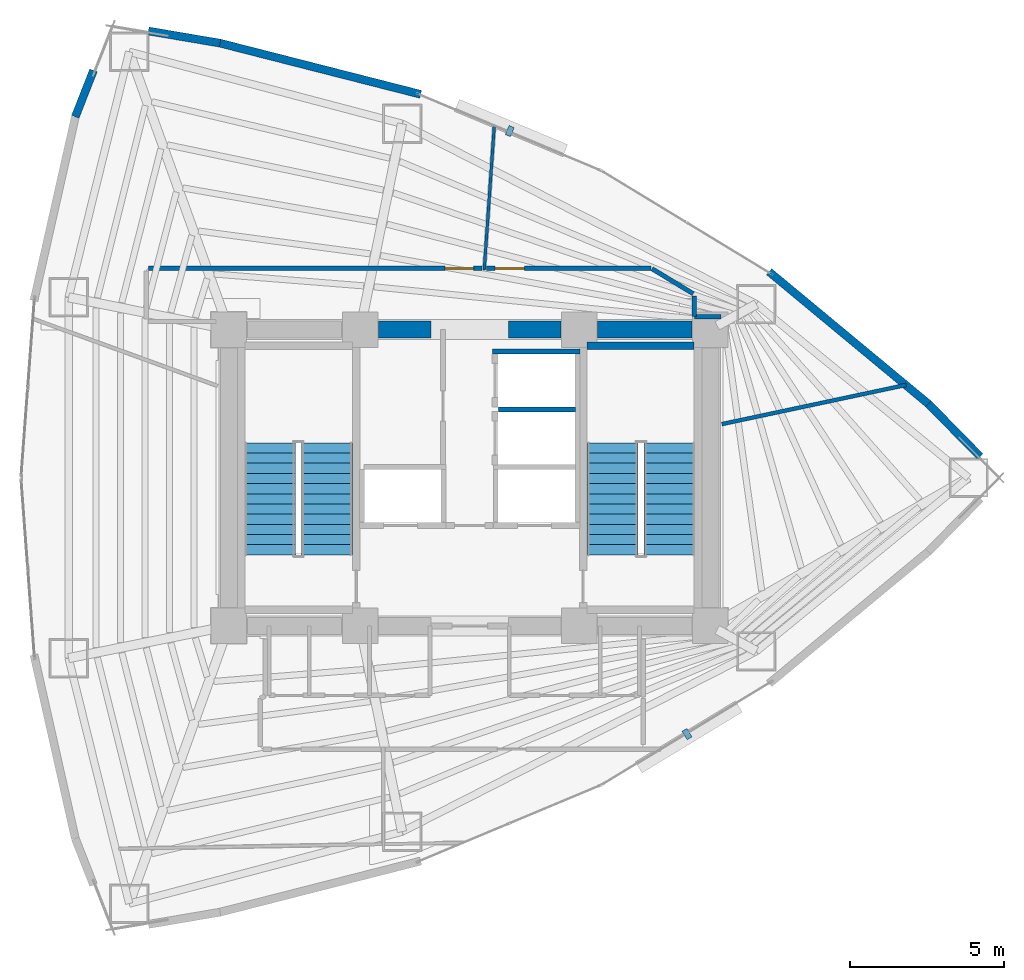
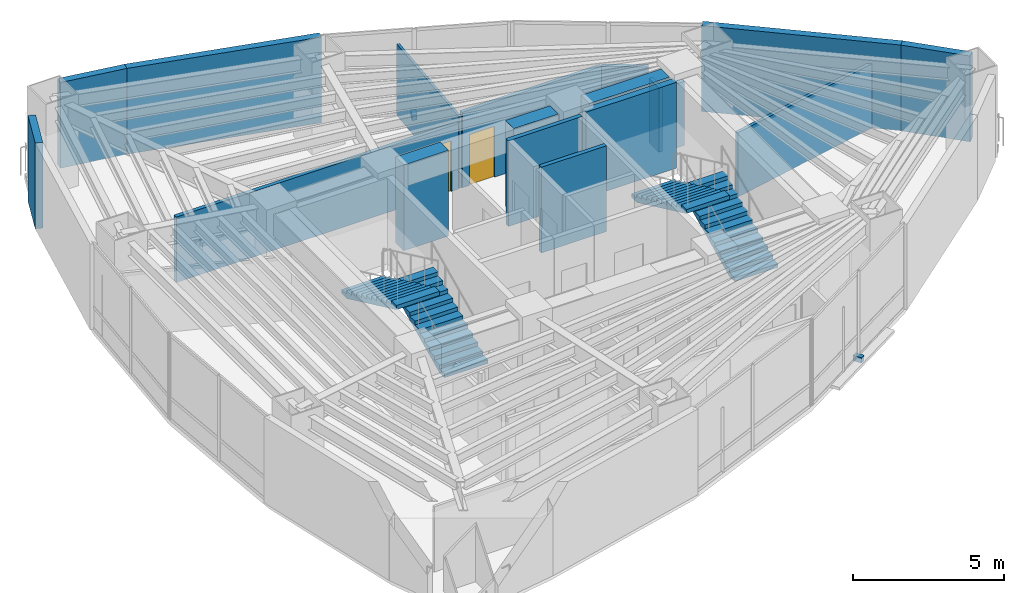
# One storey, part 16 of 19: 18 walls, 4 stair flights, 2 discrete accessories, 2 doors, 2 openings, 2 elements without a shape of their own.
"""IFC4 building model written with IfcOpenShell, lengths in metres."""

from ifc_helpers import new_model, si_unit, direction, frame, frame_2d, origin, origin_2d, place, context, subcontext, project, spatial, polyline, rectangle, outline, extrude, material, layer, layer_set, type_object, element, fill, aggregate, save


model = new_model("IFC4")

# Units and contexts
model_context = context("Model", 3, precision=1e-05, world=origin(), true_north=direction((0.0, 1.0)))
body_context = subcontext(model_context, "Body", "Model", "MODEL_VIEW")
ifc_project = project(units=[si_unit("LENGTHUNIT", "METRE"), si_unit("AREAUNIT", "SQUARE_METRE"), si_unit("VOLUMEUNIT", "CUBIC_METRE"), si_unit("PLANEANGLEUNIT", "RADIAN"), si_unit("MASSUNIT", "GRAM", prefix="KILO")], contexts=[model_context])

# Site, building, storey
site_placement = place(None, origin())
site = spatial("IfcSite", under=ifc_project, at=site_placement, CompositionType="ELEMENT")
building_placement = place(site_placement, origin())
building = spatial("IfcBuilding", under=site, at=building_placement, Name="Menara Vayukalpa", CompositionType="ELEMENT")
storey_placement = place(building_placement, frame((0.0, 0.0, 122.580078125)))
storey = spatial("IfcBuildingStorey", under=building, at=storey_placement, Name="L30", CompositionType="ELEMENT", Elevation=122.580078125)

# Walls
ifc_material_1 = material(Name="Concrete C60/75", Category="concrete")
ifc_layer_1 = layer(ifc_material_1, 0.550048828125)
ifc_layer_set_1 = layer_set([ifc_layer_1], Name="Concrete C60/75")
wall_type_1 = type_object("IfcWallType", Name="WAL-CW550", PredefinedType="SHEAR", material=ifc_layer_set_1)
wall_1_placement = place(storey_placement, frame((22.64501953125, 26.800048828125, 0.0), z_axis=(0.0, 0.0, 1.0), x_axis=(1.0, 0.0, 0.0)))
element("IfcWall", 1, at=wall_1_placement, inside=storey, type_object=wall_type_1, Name="L30 Buttressed Core Shear Wall CWN2", PredefinedType="SHEAR", context=body_context, shape_type="SweptSolid", body=[
    extrude(rectangle(XDim=1.705078125, YDim=0.550048828125, at=frame_2d((0.8525390625, 0.0))), origin(), (0.0, 0.0, 1.0), 3.469970703125),
])
wall_2_placement = place(storey_placement, frame((26.85009765625, 26.800048828125, 0.0), z_axis=(0.0, 0.0, 1.0), x_axis=(1.0, 0.0, 0.0)))
element("IfcWall", 2, at=wall_2_placement, inside=storey, type_object=wall_type_1, Name="L30 Buttressed Core Shear Wall CWN3", PredefinedType="SHEAR", context=body_context, shape_type="SweptSolid", body=[
    extrude(rectangle(XDim=1.704833984375, YDim=0.550048828125, at=frame_2d((0.8525390625, 0.0))), origin(), (0.0, 0.0, 1.0), 3.469970703125),
])
wall_3_placement = place(storey_placement, frame((29.7451171875, 26.800048828125, 0.0), z_axis=(0.0, 0.0, 1.0), x_axis=(1.0, 0.0, 0.0)))
element("IfcWall", 3, at=wall_3_placement, inside=storey, type_object=wall_type_1, Name="L30 Buttressed Core Shear Wall CWN4", PredefinedType="SHEAR", context=body_context, shape_type="SweptSolid", body=[
    extrude(rectangle(XDim=3.059814453125, YDim=0.550048828125, at=frame_2d((1.52978515625, 0.0))), origin(), (0.0, 0.0, 1.0), 3.469970703125),
])
ifc_material_2 = material(Name="Insulated Precast Concrete C40/50", Category="concrete")
ifc_layer_2 = layer(ifc_material_2, 0.260009765625)
ifc_layer_set_2 = layer_set([ifc_layer_2], Name="Insulated Precast Concrete C40/50")
wall_type_2 = type_object("IfcWallType", Name="WAL-EXT260", PredefinedType="PARTITIONING", material=ifc_layer_set_2)
wall_4_placement = place(storey_placement, frame((40.46337890625, 24.39208984375, 0.0), z_axis=(0.0, 0.0, 1.0), x_axis=(0.700603293449, -0.713550996922, 0.0)))
element("IfcWall", 4, at=wall_4_placement, inside=storey, type_object=wall_type_2, Name="L30 Perimeter Terracotta Pier Wall 02", PredefinedType="PARTITIONING", context=body_context, shape_type="SweptSolid", body=[
    extrude(rectangle(XDim=2.394775390625, YDim=0.260009765625, at=frame_2d((1.197265625, 0.0))), origin(), (0.0, 0.0, 1.0), 3.469970703125),
])
wall_5_placement = place(storey_placement, frame((35.30126953125, 28.672119140625, 0.0), z_axis=(0.0, 0.0, 1.0), x_axis=(0.76975316947, -0.638341646841, 0.0)))
element("IfcWall", 5, at=wall_5_placement, inside=storey, type_object=wall_type_2, Name="L30 Perimeter Terracotta Pier Wall 03", PredefinedType="PARTITIONING", context=body_context, shape_type="SweptSolid", body=[
    extrude(rectangle(XDim=6.718017578125, YDim=0.260009765625, at=frame_2d((3.35888671875, 0.0))), origin(), (0.0, 0.0, 1.0), 3.469970703125),
])
wall_6_placement = place(storey_placement, frame((17.504638671875, 36.08056640625, 0.0), z_axis=(0.0, 0.0, 1.0), x_axis=(0.968981437296, -0.247133514876, 0.0)))
element("IfcWall", 6, at=wall_6_placement, inside=storey, type_object=wall_type_2, Name="L30 Perimeter Terracotta Pier Wall 06", PredefinedType="PARTITIONING", context=body_context, shape_type="SweptSolid", body=[
    extrude(rectangle(XDim=6.717529296875, YDim=0.260009765625, at=frame_2d((3.35888671875, 0.0))), origin(), (0.0, 0.0, 1.0), 3.469970703125),
])
wall_7_placement = place(storey_placement, frame((15.19287109375, 36.472412109375, 0.0), z_axis=(0.0, 0.0, 1.0), x_axis=(0.985905269947, -0.167304508875, 0.0)))
element("IfcWall", 7, at=wall_7_placement, inside=storey, type_object=wall_type_2, Name="L30 Perimeter Terracotta Pier Wall 07", PredefinedType="PARTITIONING", context=body_context, shape_type="SweptSolid", body=[
    extrude(rectangle(XDim=2.356689453125, YDim=0.260009765625, at=frame_2d((1.17822265625, 0.0))), origin(), (0.0, 0.0, 1.0), 3.469970703125),
])
wall_8_placement = place(storey_placement, frame((12.822021484375, 33.69140625, 0.0), z_axis=(0.0, 0.0, 1.0), x_axis=(0.365488551504, 0.930815835018, 0.0)))
element("IfcWall", 8, at=wall_8_placement, inside=storey, type_object=wall_type_2, Name="L30 Perimeter Terracotta Pier Wall 08", PredefinedType="PARTITIONING", context=body_context, shape_type="SweptSolid", body=[
    extrude(rectangle(XDim=1.61376953125, YDim=0.260009765625, at=frame_2d((0.806884765625, 0.0))), origin(), (0.0, 0.0, 1.0), 3.469970703125),
])
ifc_material_3 = material(Name="Lightweight Concrete Blockwork C16/20", Category="masonry")
ifc_layer_3 = layer(ifc_material_3, 0.159912109375)
ifc_layer_set_3 = layer_set([ifc_layer_3], Name="Lightweight Concrete Blockwork C16/20")
wall_type_3 = type_object("IfcWallType", Name="WAL-FR150", PredefinedType="PARTITIONING", material=ifc_layer_set_3)
wall_9_placement = place(storey_placement, frame((26.530029296875, 24.215087890625, 0.0), z_axis=(0.0, 0.0, 1.0), x_axis=(1.0, 0.0, 0.0)))
element("IfcWall", 9, at=wall_9_placement, inside=storey, type_object=wall_type_3, Name="L30 Interior Partition IW-L30-SHM-E32", PredefinedType="PARTITIONING", context=body_context, shape_type="SweptSolid", body=[
    extrude(rectangle(XDim=2.489990234375, YDim=0.159912109375, at=frame_2d((1.2451171875, 0.0))), origin(), (0.0, 0.0, 1.0), 3.469970703125),
])
wall_10_placement = place(storey_placement, frame((26.340087890625, 26.0849609375, 0.0), z_axis=(0.0, 0.0, 1.0), x_axis=(1.0, 0.0, 0.0)))
element("IfcWall", 10, at=wall_10_placement, inside=storey, type_object=wall_type_3, Name="L30 Interior Partition IW-L30-SHM-E2N", PredefinedType="PARTITIONING", context=body_context, shape_type="SweptSolid", body=[
    extrude(rectangle(XDim=2.829833984375, YDim=0.159912109375, at=frame_2d((1.4150390625, 0.0))), origin(), (0.0, 0.0, 1.0), 3.469970703125),
])
ifc_material_4 = material(Name="Glazed Demountable Office Partition", Category="glass")
ifc_layer_4 = layer(ifc_material_4, 0.094970703125)
ifc_layer_set_4 = layer_set([ifc_layer_4], Name="Glazed Demountable Office Partition")
wall_type_4 = type_object("IfcWallType", Name="WAL-PT100", PredefinedType="PARTITIONING", material=ifc_layer_set_4)
wall_11_placement = place(storey_placement, frame((26.070556640625, 28.72998046875, 0.0), z_axis=(0.0, 0.0, 1.0), x_axis=(0.069740179431, 0.997565189535, 0.0)))
element("IfcWall", 11, at=wall_11_placement, inside=storey, type_object=wall_type_4, Name="L30 Interior Partition IW-L30-RDIV02", PredefinedType="PARTITIONING", context=body_context, shape_type="SweptSolid", body=[
    extrude(rectangle(XDim=4.697998046875, YDim=0.094970703125, at=frame_2d((2.34912109375, 0.0))), origin(), (0.0, 0.0, 1.0), 2.89990234375),
])
ifc_material_5 = material(Name="Gypsum Drywall Steel Stud Assembly", Category="steel")
ifc_layer_5 = layer(ifc_material_5, 0.125)
ifc_layer_set_5 = layer_set([ifc_layer_5], Name="Gypsum Drywall Steel Stud Assembly")
wall_type_5 = type_object("IfcWallType", Name="WAL-PT125", PredefinedType="PARTITIONING", material=ifc_layer_set_5)
wall_12_placement = place(storey_placement, frame((33.77001953125, 23.736572265625, 0.0), z_axis=(0.0, 0.0, 1.0), x_axis=(0.978144206175, 0.20792766032, 0.0)))
element("IfcWall", 12, at=wall_12_placement, inside=storey, type_object=wall_type_5, Name="L30 Interior Partition IW-L30-RDIV01", PredefinedType="PARTITIONING", context=body_context, shape_type="SweptSolid", body=[
    extrude(rectangle(XDim=6.10205078125, YDim=0.125, at=frame_2d((3.051025390625, 0.0))), origin(), (0.0, 0.0, 1.0), 2.599853515625),
])
ifc_material_6 = material(Name="Gypsum Drywall Acoustic Stud Assembly", Category="masonry")
ifc_layer_6 = layer(ifc_material_6, 0.14501953125)
ifc_layer_set_6 = layer_set([ifc_layer_6], Name="Gypsum Drywall Acoustic Stud Assembly")
wall_type_6 = type_object("IfcWallType", Name="WAL-PT150", PredefinedType="PARTITIONING", material=ifc_layer_set_6)
wall_13_placement = place(storey_placement, frame((33.739990234375, 27.219970703125, 0.0), z_axis=(0.0, 0.0, 1.0), x_axis=(-1.0, 0.0, 0.0)))
element("IfcWall", 13, at=wall_13_placement, inside=storey, type_object=wall_type_6, Name="L30 Interior Partition IW-L30-CRM03-1", PredefinedType="PARTITIONING", context=body_context, shape_type="SweptSolid", body=[
    extrude(rectangle(XDim=0.860107421875, YDim=0.14501953125, at=frame_2d((0.43017578125, 0.0))), origin(), (0.0, 0.0, 1.0), 2.599853515625),
])
wall_14_placement = place(storey_placement, frame((32.8798828125, 27.219970703125, 0.0), z_axis=(0.0, 0.0, 1.0), x_axis=(0.0, 1.0, 0.0)))
element("IfcWall", 14, at=wall_14_placement, inside=storey, type_object=wall_type_6, Name="L30 Interior Partition IW-L30-CRM03-2", PredefinedType="PARTITIONING", context=body_context, shape_type="SweptSolid", body=[
    extrude(rectangle(XDim=0.671142578125, YDim=0.14501953125, at=frame_2d((0.33544921875, 0.0))), origin(), (0.0, 0.0, 1.0), 2.599853515625),
])
wall_15_placement = place(storey_placement, frame((32.841552734375, 27.959716796875, 0.0), z_axis=(0.0, 0.0, 1.0), x_axis=(-0.854742818792, 0.519051744745, 0.0)))
element("IfcWall", 15, at=wall_15_placement, inside=storey, type_object=wall_type_6, Name="L30 Interior Partition IW-L30-CRM03-3", PredefinedType="PARTITIONING", context=body_context, shape_type="SweptSolid", body=[
    extrude(rectangle(XDim=1.557861328125, YDim=0.14501953125, at=frame_2d((0.77880859375, 0.0))), origin(), (0.0, 0.0, 1.0), 3.0498046875),
])

# Wall, opening, door
wall_16_placement = place(storey_placement, frame((31.468505859375, 28.780029296875, 0.0), z_axis=(0.0, 0.0, 1.0), x_axis=(-1.0, 0.0, 0.0)))
wall_16 = element("IfcWall", 16, at=wall_16_placement, inside=storey, type_object=wall_type_6, Name="L30 Interior Partition IW-L30-CRM03-4", PredefinedType="PARTITIONING", context=body_context, shape_type="SweptSolid", body=[
    extrude(rectangle(XDim=5.32421875, YDim=0.14501953125, at=frame_2d((2.662109375, 0.0))), origin(), (0.0, 0.0, 1.0), 3.0498046875),
])
opening_1_placement = place(wall_16_placement, frame((4.09423828125, 0.0, 0.0)))
opening_1 = element("IfcOpeningElement", 17, at=opening_1_placement, cuts=wall_16, Name="Opening ID5", PredefinedType="OPENING", context=body_context, shape_type="SweptSolid", body=[
    extrude(rectangle(XDim=0.949951171875, YDim=2.06005859375, at=frame_2d((0.47509765625, 1.030029296875))), frame((0.0, 0.08251953125, 0.0), z_axis=(0.0, -1.0, 0.0), x_axis=(1.0, 0.0, 0.0)), (0.0, 0.0, 1.0), 0.1650390625),
])
ifc_material_7 = material(Name="Acoustic Hardwood Veneer Timber Door", Category="wood")
door_type_1 = type_object("IfcDoorType", Name="DR-INT95", OperationType="NOTDEFINED", PredefinedType="DOOR", material=ifc_material_7)
door_1_placement = place(opening_1_placement, origin())
door_1 = element("IfcDoor", 18, at=door_1_placement, inside=storey, type_object=door_type_1, Name="L30 Interior Door DR-L30-RM03", OperationType="SINGLE_SWING_LEFT", OverallHeight=2.06005859375, OverallWidth=0.949951171875, PredefinedType="DOOR", context=body_context, shape_type="SweptSolid", body=[
    extrude(rectangle(XDim=0.949951171875, YDim=2.06005859375, at=frame_2d((0.47509765625, 1.030029296875))), frame((0.0, 0.02490234375, 0.0), z_axis=(0.0, -1.0, 0.0), x_axis=(1.0, 0.0, 0.0)), (0.0, 0.0, 1.0), 0.050048828125),
])
fill(opening_1, door_1)

wall_17_placement = place(storey_placement, frame((26.00390625, 28.780029296875, 0.0), z_axis=(0.0, 0.0, 1.0), x_axis=(-1.0, 0.0, 0.0)))
wall_17 = element("IfcWall", 19, at=wall_17_placement, inside=storey, type_object=wall_type_6, Name="L30 Interior Partition IW-L30-CRM04-1", PredefinedType="PARTITIONING", context=body_context, shape_type="SweptSolid", body=[
    extrude(rectangle(XDim=10.803955078125, YDim=0.14501953125, at=frame_2d((5.40185546875, 0.0))), origin(), (0.0, 0.0, 1.0), 2.64990234375),
])
opening_2_placement = place(wall_17_placement, frame((0.280029296875, 0.0, 0.0)))
opening_2 = element("IfcOpeningElement", 20, at=opening_2_placement, cuts=wall_17, Name="Opening ID6", PredefinedType="OPENING", context=body_context, shape_type="SweptSolid", body=[
    extrude(rectangle(XDim=0.919921875, YDim=2.050048828125, at=frame_2d((0.4599609375, 1.02490234375))), frame((0.0, 0.08251953125, 0.0), z_axis=(0.0, -1.0, 0.0), x_axis=(1.0, 0.0, 0.0)), (0.0, 0.0, 1.0), 0.1650390625),
])
ifc_material_8 = material(Name="Acoustic Hardwood Veneer Timber Door", Category="wood")
door_type_2 = type_object("IfcDoorType", Name="DR-INT92", OperationType="NOTDEFINED", PredefinedType="DOOR", material=ifc_material_8)
door_2_placement = place(opening_2_placement, origin())
door_2 = element("IfcDoor", 21, at=door_2_placement, inside=storey, type_object=door_type_2, Name="L30 Interior Door DR-L30-RM04", OperationType="SINGLE_SWING_RIGHT", OverallHeight=2.050048828125, OverallWidth=0.919921875, PredefinedType="DOOR", context=body_context, shape_type="SweptSolid", body=[
    extrude(rectangle(XDim=0.919921875, YDim=2.050048828125, at=frame_2d((0.4599609375, 1.02490234375))), frame((0.0, 0.02490234375, 0.0), z_axis=(0.0, -1.0, 0.0), x_axis=(1.0, 0.0, 0.0)), (0.0, 0.0, 1.0), 0.050048828125),
])
fill(opening_2, door_2)

# Wall
ifc_material_9 = material(Name="Concrete C50/60", Category="concrete")
ifc_layer_7 = layer(ifc_material_9, 0.25)
ifc_layer_set_7 = layer_set([ifc_layer_7], Name="Concrete C50/60")
wall_type_7 = type_object("IfcWallType", Name="WAL-SW250", PredefinedType="SHEAR", material=ifc_layer_set_7)
wall_18_placement = place(storey_placement, frame((29.39990234375, 26.27490234375, 0.0), z_axis=(0.0, 0.0, 1.0), x_axis=(1.0, 0.0, 0.0)))
element("IfcWall", 22, at=wall_18_placement, inside=storey, type_object=wall_type_7, Name="L30 ST2 Structural Stair Shaft Wall N", PredefinedType="SHEAR", context=body_context, shape_type="SweptSolid", body=[
    extrude(rectangle(XDim=3.47119140625, YDim=0.25, at=frame_2d((1.735595703125, 0.0))), origin(), (0.0, 0.0, 1.0), 3.469970703125),
])

# Stair, stair flights
ifc_material_10 = material(Name="Precast Concrete C40/50", Category="concrete")
stair_type = type_object("IfcStairType", Name="STR-T04", PredefinedType="DOUBLE_RETURN_STAIR", material=ifc_material_10)
stair_1_placement = place(storey_placement, origin())
stair_1 = element("IfcStair", 23, at=stair_1_placement, inside=storey, type_object=stair_type, Name="L30 Core Exit Stair ST-1", PredefinedType="DOUBLE_RETURN_STAIR")
ifc_material_11 = material(Name="Precast Concrete C40/50", Category="concrete")
stair_flight_type = type_object("IfcStairFlightType", Name="STF-T04", PredefinedType="STRAIGHT", material=ifc_material_11)
stair_flight_1_placement = place(storey_placement, frame((20.97509765625, 19.5, 0.0), z_axis=(0.0, 0.0, 1.0), x_axis=(0.0, 1.0, 0.0)))
stair_flight_1 = element("IfcStairFlight", 24, at=stair_flight_1_placement, type_object=stair_flight_type, Name="ST-1 flight 1", NumberOfRisers=12, NumberOfTreads=11, PredefinedType="STRAIGHT", RiserHeight=0.155, TreadLength=0.33, context=body_context, shape_type="SweptSolid", body=[
    extrude(outline(polyline([(0.0, 0.0), (0.0, 0.155029296875), (0.330078125, 0.155029296875), (0.330078125, 0.31005859375), (0.659912109375, 0.31005859375), (0.659912109375, 0.465087890625), (0.989990234375, 0.465087890625), (0.989990234375, 0.6201171875), (1.320068359375, 0.6201171875), (1.320068359375, 0.77490234375), (1.64990234375, 0.77490234375), (1.64990234375, 0.929931640625), (1.97998046875, 0.929931640625), (1.97998046875, 1.0849609375), (2.31005859375, 1.0849609375), (2.31005859375, 1.239990234375), (2.639892578125, 1.239990234375), (2.639892578125, 1.39501953125), (2.969970703125, 1.39501953125), (2.969970703125, 1.550048828125), (3.300048828125, 1.550048828125), (3.300048828125, 1.705078125), (3.6298828125, 1.705078125), (3.6298828125, 1.860107421875), (3.6298828125, 1.539306640625), (0.3525390625, 0.0), (0.0, 0.0)])), frame((0.0, 0.824951171875, 0.0), z_axis=(0.0, -1.0, 0.0), x_axis=(1.0, 0.0, 0.0)), (0.0, 0.0, 1.0), 1.64990234375),
])
stair_flight_2_placement = place(storey_placement, frame((19.125, 23.1298828125, 1.85986328125), z_axis=(0.0, 0.0, 1.0), x_axis=(0.0, -1.0, 0.0)))
stair_flight_2 = element("IfcStairFlight", 25, at=stair_flight_2_placement, type_object=stair_flight_type, Name="ST-1 flight 2", NumberOfRisers=12, NumberOfTreads=11, PredefinedType="STRAIGHT", RiserHeight=0.155, TreadLength=0.33, context=body_context, shape_type="SweptSolid", body=[
    extrude(outline(polyline([(0.0, 0.0), (0.0, 0.155029296875), (0.330078125, 0.155029296875), (0.330078125, 0.31005859375), (0.659912109375, 0.31005859375), (0.659912109375, 0.465087890625), (0.989990234375, 0.465087890625), (0.989990234375, 0.6201171875), (1.320068359375, 0.6201171875), (1.320068359375, 0.77490234375), (1.64990234375, 0.77490234375), (1.64990234375, 0.929931640625), (1.97998046875, 0.929931640625), (1.97998046875, 1.0849609375), (2.31005859375, 1.0849609375), (2.31005859375, 1.239990234375), (2.639892578125, 1.239990234375), (2.639892578125, 1.39501953125), (2.969970703125, 1.39501953125), (2.969970703125, 1.550048828125), (3.300048828125, 1.550048828125), (3.300048828125, 1.705078125), (3.6298828125, 1.705078125), (3.6298828125, 1.860107421875), (3.6298828125, 1.539306640625), (0.3525390625, 0.0), (0.0, 0.0)])), frame((0.0, 0.824951171875, 0.0), z_axis=(0.0, -1.0, 0.0), x_axis=(1.0, 0.0, 0.0)), (0.0, 0.0, 1.0), 1.64990234375),
])
aggregate(stair_1, [stair_flight_1, stair_flight_2])

stair_2_placement = place(storey_placement, origin())
stair_2 = element("IfcStair", 26, at=stair_2_placement, inside=storey, type_object=stair_type, Name="L30 Core Exit Stair ST-2", PredefinedType="DOUBLE_RETURN_STAIR")
stair_flight_3_placement = place(storey_placement, frame((32.074951171875, 19.5, 0.0), z_axis=(0.0, 0.0, 1.0), x_axis=(0.0, 1.0, 0.0)))
stair_flight_3 = element("IfcStairFlight", 27, at=stair_flight_3_placement, type_object=stair_flight_type, Name="ST-2 flight 1", NumberOfRisers=12, NumberOfTreads=11, PredefinedType="STRAIGHT", RiserHeight=0.155, TreadLength=0.33, context=body_context, shape_type="SweptSolid", body=[
    extrude(outline(polyline([(0.0, 0.0), (0.0, 0.155029296875), (0.330078125, 0.155029296875), (0.330078125, 0.31005859375), (0.659912109375, 0.31005859375), (0.659912109375, 0.465087890625), (0.989990234375, 0.465087890625), (0.989990234375, 0.6201171875), (1.320068359375, 0.6201171875), (1.320068359375, 0.77490234375), (1.64990234375, 0.77490234375), (1.64990234375, 0.929931640625), (1.97998046875, 0.929931640625), (1.97998046875, 1.0849609375), (2.31005859375, 1.0849609375), (2.31005859375, 1.239990234375), (2.639892578125, 1.239990234375), (2.639892578125, 1.39501953125), (2.969970703125, 1.39501953125), (2.969970703125, 1.550048828125), (3.300048828125, 1.550048828125), (3.300048828125, 1.705078125), (3.6298828125, 1.705078125), (3.6298828125, 1.860107421875), (3.6298828125, 1.539306640625), (0.3525390625, 0.0), (0.0, 0.0)])), frame((0.0, 0.824951171875, 0.0), z_axis=(0.0, -1.0, 0.0), x_axis=(1.0, 0.0, 0.0)), (0.0, 0.0, 1.0), 1.64990234375),
])
stair_flight_4_placement = place(storey_placement, frame((30.22509765625, 23.1298828125, 1.85986328125), z_axis=(0.0, 0.0, 1.0), x_axis=(0.0, -1.0, 0.0)))
stair_flight_4 = element("IfcStairFlight", 28, at=stair_flight_4_placement, type_object=stair_flight_type, Name="ST-2 flight 2", NumberOfRisers=12, NumberOfTreads=11, PredefinedType="STRAIGHT", RiserHeight=0.155, TreadLength=0.33, context=body_context, shape_type="SweptSolid", body=[
    extrude(outline(polyline([(0.0, 0.0), (0.0, 0.155029296875), (0.330078125, 0.155029296875), (0.330078125, 0.31005859375), (0.659912109375, 0.31005859375), (0.659912109375, 0.465087890625), (0.989990234375, 0.465087890625), (0.989990234375, 0.6201171875), (1.320068359375, 0.6201171875), (1.320068359375, 0.77490234375), (1.64990234375, 0.77490234375), (1.64990234375, 0.929931640625), (1.97998046875, 0.929931640625), (1.97998046875, 1.0849609375), (2.31005859375, 1.0849609375), (2.31005859375, 1.239990234375), (2.639892578125, 1.239990234375), (2.639892578125, 1.39501953125), (2.969970703125, 1.39501953125), (2.969970703125, 1.550048828125), (3.300048828125, 1.550048828125), (3.300048828125, 1.705078125), (3.6298828125, 1.705078125), (3.6298828125, 1.860107421875), (3.6298828125, 1.539306640625), (0.3525390625, 0.0), (0.0, 0.0)])), frame((0.0, 0.824951171875, 0.0), z_axis=(0.0, -1.0, 0.0), x_axis=(1.0, 0.0, 0.0)), (0.0, 0.0, 1.0), 1.64990234375),
])
aggregate(stair_2, [stair_flight_3, stair_flight_4])

# Discrete accessories
ifc_material_12 = material(Name="Stainless Steel 316 Sunshade Bracket", Category="steel")
discrete_accessory_type = type_object("IfcDiscreteAccessoryType", Name="ACC-BRK1", PredefinedType="BRACKET", material=ifc_material_12)
for number, where, z_axis, x_axis, name in (
    (29, (26.898193359375, 33.22900390625, -0.16015625), (0.0, 0.0, 1.0), (-0.922544824647, 0.385889940938, 0.0), "L30 Terracotta Sunshade Bracket 05"),
    (30, (32.6416015625, 13.69580078125, -0.16015625), (0.0, 0.0, 1.0), (0.85466730962, 0.519176068272, 0.0), "L30 Terracotta Sunshade Bracket 17"),
):
    element("IfcDiscreteAccessory", number, at=place(storey_placement, frame(where, z_axis=z_axis, x_axis=x_axis)), inside=storey, type_object=discrete_accessory_type, Name=name, PredefinedType="BRACKET", context=body_context, shape_type="SweptSolid", body=[
        extrude(rectangle(XDim=0.179931640625, YDim=0.320068359375, at=origin_2d()), origin(), (0.0, 0.0, 1.0), 0.219970703125),
    ])

save(model, "model.ifc")
